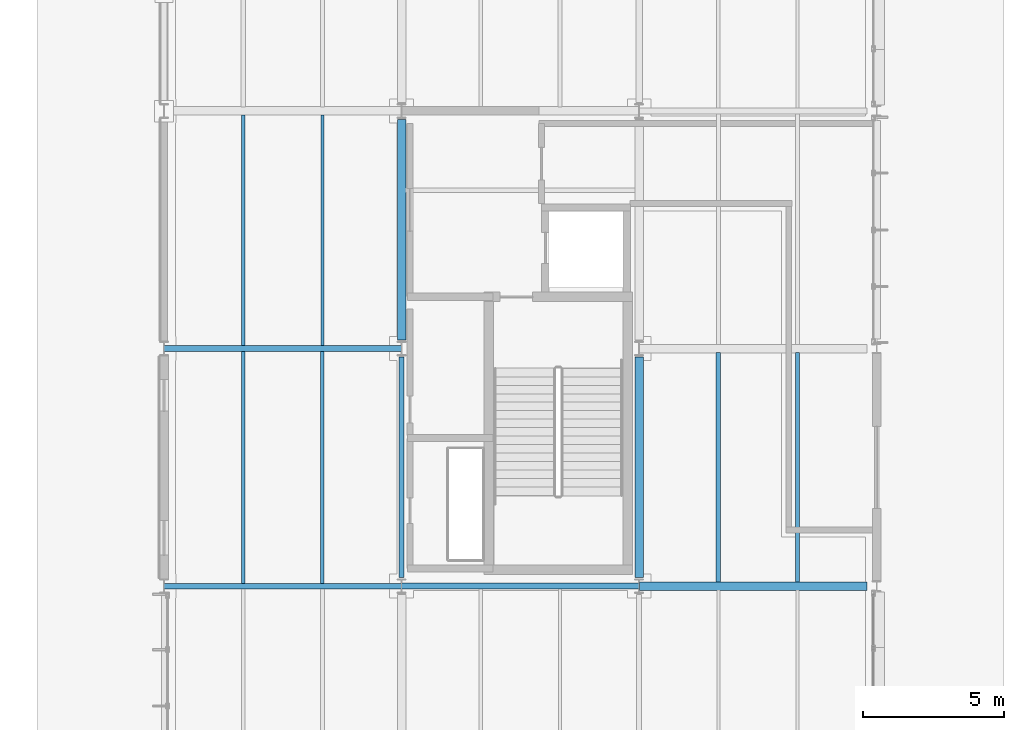
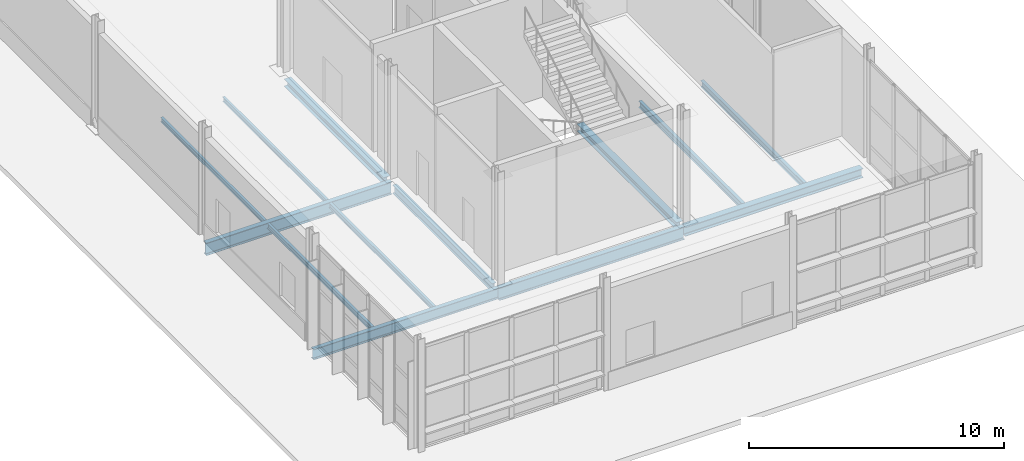
# One storey, part 55 of 124: 13 beams.
"""IFC4 building model written with IfcOpenShell, lengths in metres."""

from ifc_helpers import new_model, si_unit, direction, frame, origin, origin_2d, place, context, subcontext, project, spatial, i_section, extrude, material, material_profile, profile_set, type_object, element, save


model = new_model("IFC4")

# Units and contexts
model_context = context("Model", 3, precision=1e-05, world=origin(), true_north=direction((0.0, 1.0)))
body_context = subcontext(model_context, "Body", "Model", "MODEL_VIEW")
ifc_project = project(units=[si_unit("LENGTHUNIT", "METRE"), si_unit("AREAUNIT", "SQUARE_METRE"), si_unit("VOLUMEUNIT", "CUBIC_METRE"), si_unit("PLANEANGLEUNIT", "RADIAN"), si_unit("MASSUNIT", "GRAM", prefix="KILO")], contexts=[model_context])

# Site, building, storey
site_placement = place(None, origin())
site = spatial("IfcSite", under=ifc_project, at=site_placement, CompositionType="ELEMENT")
building_placement = place(site_placement, origin())
building = spatial("IfcBuilding", under=site, at=building_placement, Name="Mersafa Astral City Hall", CompositionType="ELEMENT")
storey_placement = place(building_placement, origin())
storey = spatial("IfcBuildingStorey", under=building, at=storey_placement, Name="L00", CompositionType="ELEMENT", Elevation=0.0)

# Beams
ifc_material = material(Name="Steel S355", Category="steel")
ifc_material_profile_1 = material_profile(ifc_material, i_section(OverallWidth=0.300048828125, OverallDepth=0.35009765625, WebThickness=0.010009765625, FlangeThickness=0.017578125, FilletRadius=0.027099609375, at=origin_2d()), Name="HEA 360")
ifc_profile_set_1 = profile_set([ifc_material_profile_1], Name="Steel S355")
beam_type_1 = type_object("IfcBeamType", Name="STR-BM-HEA360", PredefinedType="BEAM", material=ifc_profile_set_1)
beam_1_placement = place(storey_placement, frame((168.0, 59.094970703125, -0.425048828125), z_axis=(0.0, 1.0, 0.0), x_axis=(-1.0, 0.0, 0.0)))
element("IfcBeam", 1, at=beam_1_placement, inside=storey, type_object=beam_type_1, Name="L00 Primary girder Y 20-7", PredefinedType="BEAM", context=body_context, shape_type="SweptSolid", body=[
    extrude(i_section(OverallWidth=0.300048828125, OverallDepth=0.35009765625, WebThickness=0.010009765625, FlangeThickness=0.017578125, FilletRadius=0.027099609375, at=origin_2d()), origin(), (0.0, 0.0, 1.0), 7.81005859375),
])
beam_2_placement = place(storey_placement, frame((176.39990234375, 50.695068359375, -0.425048828125), z_axis=(0.0, 1.0, 0.0), x_axis=(-1.0, 0.0, 0.0)))
element("IfcBeam", 2, at=beam_2_placement, inside=storey, type_object=beam_type_1, Name="L00 Primary girder Y 21-6", PredefinedType="BEAM", context=body_context, shape_type="SweptSolid", body=[
    extrude(i_section(OverallWidth=0.300048828125, OverallDepth=0.35009765625, WebThickness=0.010009765625, FlangeThickness=0.017578125, FilletRadius=0.027099609375, at=origin_2d()), origin(), (0.0, 0.0, 1.0), 7.809814453125),
])
ifc_material_profile_2 = material_profile(ifc_material, i_section(OverallWidth=0.300048828125, OverallDepth=0.43994140625, WebThickness=0.011474609375, FlangeThickness=0.02099609375, FilletRadius=0.027099609375, at=origin_2d()), Name="HEA 450")
ifc_profile_set_2 = profile_set([ifc_material_profile_2], Name="Steel S355")
beam_type_2 = type_object("IfcBeamType", Name="STR-BM-HEA450", PredefinedType="BEAM", material=ifc_profile_set_2)
beam_3_placement = place(storey_placement, frame((176.403076171875, 50.39990234375, -0.469970703125), z_axis=(1.0, 0.0, 0.0), x_axis=(0.0, 1.0, 0.0)))
element("IfcBeam", 3, at=beam_3_placement, inside=storey, type_object=beam_type_2, Name="L00 Primary girder X 21-6", PredefinedType="BEAM", context=body_context, shape_type="SweptSolid", body=[
    extrude(i_section(OverallWidth=0.300048828125, OverallDepth=0.43994140625, WebThickness=0.011474609375, FlangeThickness=0.02099609375, FilletRadius=0.027099609375, at=origin_2d()), origin(), (0.0, 0.0, 1.0), 8.052001953125),
])
ifc_material_profile_3 = material_profile(ifc_material, i_section(OverallWidth=0.179931640625, OverallDepth=0.39990234375, WebThickness=0.008544921875, FlangeThickness=0.013427734375, FilletRadius=0.02099609375, at=origin_2d()), Name="IPE 400")
ifc_profile_set_3 = profile_set([ifc_material_profile_3], Name="Steel S355")
beam_type_3 = type_object("IfcBeamType", Name="STR-BM-IPE400", PredefinedType="BEAM", material=ifc_profile_set_3)
beam_4_placement = place(storey_placement, frame((168.0, 50.695068359375, -0.449951171875), z_axis=(0.0, 1.0, 0.0), x_axis=(-1.0, 0.0, 0.0)))
element("IfcBeam", 4, at=beam_4_placement, inside=storey, type_object=beam_type_3, Name="L00 Primary girder Y 20-6", PredefinedType="BEAM", context=body_context, shape_type="SweptSolid", body=[
    extrude(i_section(OverallWidth=0.179931640625, OverallDepth=0.39990234375, WebThickness=0.008544921875, FlangeThickness=0.013427734375, FilletRadius=0.02099609375, at=origin_2d()), origin(), (0.0, 0.0, 1.0), 7.809814453125),
])
ifc_material_profile_4 = material_profile(ifc_material, i_section(OverallWidth=0.199951171875, OverallDepth=0.5, WebThickness=0.01025390625, FlangeThickness=0.01611328125, FilletRadius=0.02099609375, at=origin_2d()), Name="IPE 500")
ifc_profile_set_4 = profile_set([ifc_material_profile_4], Name="Steel S355")
beam_type_4 = type_object("IfcBeamType", Name="STR-BM-IPE500", PredefinedType="BEAM", material=ifc_profile_set_4)
beam_5_placement = place(storey_placement, frame((159.60302734375, 50.39990234375, -0.5), z_axis=(1.0, 0.0, 0.0), x_axis=(0.0, 1.0, 0.0)))
element("IfcBeam", 5, at=beam_5_placement, inside=storey, type_object=beam_type_4, Name="L00 Primary girder X 19-6", PredefinedType="BEAM", context=body_context, shape_type="SweptSolid", body=[
    extrude(i_section(OverallWidth=0.199951171875, OverallDepth=0.5, WebThickness=0.01025390625, FlangeThickness=0.01611328125, FilletRadius=0.02099609375, at=origin_2d()), origin(), (0.0, 0.0, 1.0), 8.39404296875),
])
ifc_material_profile_5 = material_profile(ifc_material, i_section(OverallWidth=0.219970703125, OverallDepth=0.60009765625, WebThickness=0.011962890625, FlangeThickness=0.01904296875, FilletRadius=0.02392578125, at=origin_2d()), Name="IPE 600")
ifc_profile_set_5 = profile_set([ifc_material_profile_5], Name="Steel S355")
beam_type_5 = type_object("IfcBeamType", Name="STR-BM-IPE600", PredefinedType="BEAM", material=ifc_profile_set_5)
for number, where, z_axis, x_axis, name in (
    (6, (168.0029296875, 50.39990234375, -0.550048828125), (1.0, 0.0, 0.0), (0.0, 1.0, 0.0), "L00 Primary girder X 20-6"),
    (7, (159.60302734375, 58.800048828125, -0.550048828125), (1.0, 0.0, 0.0), (0.0, 1.0, 0.0), "L00 Primary girder X 19-7"),
):
    element("IfcBeam", number, at=place(storey_placement, frame(where, z_axis=z_axis, x_axis=x_axis)), inside=storey, type_object=beam_type_5, Name=name, PredefinedType="BEAM", context=body_context, shape_type="SweptSolid", body=[
        extrude(i_section(OverallWidth=0.219970703125, OverallDepth=0.60009765625, WebThickness=0.011962890625, FlangeThickness=0.01904296875, FilletRadius=0.02392578125, at=origin_2d()), origin(), (0.0, 0.0, 1.0), 8.39404296875),
    ])
ifc_material_profile_6 = material_profile(ifc_material, i_section(OverallWidth=0.110107421875, OverallDepth=0.219970703125, WebThickness=0.005859375, FlangeThickness=0.00927734375, FilletRadius=0.011962890625, at=origin_2d()), Name="IPE 220")
ifc_profile_set_6 = profile_set([ifc_material_profile_6], Name="Steel S355")
beam_type_6 = type_object("IfcBeamType", Name="STR-BM-JOIST-IPE220", PredefinedType="JOIST", material=ifc_profile_set_6)
for number, where, z_axis, x_axis, name in (
    (8, (162.39990234375, 58.905029296875, -0.360107421875), (0.0, 1.0, 0.0), (-1.0, 0.0, 0.0), "L00 Composite secondary floor joist 184"),
    (9, (165.199951171875, 58.905029296875, -0.360107421875), (0.0, 1.0, 0.0), (-1.0, 0.0, 0.0), "L00 Composite secondary floor joist 185"),
):
    element("IfcBeam", number, at=place(storey_placement, frame(where, z_axis=z_axis, x_axis=x_axis)), inside=storey, type_object=beam_type_6, Name=name, PredefinedType="JOIST", context=body_context, shape_type="SweptSolid", body=[
        extrude(i_section(OverallWidth=0.110107421875, OverallDepth=0.219970703125, WebThickness=0.005859375, FlangeThickness=0.00927734375, FilletRadius=0.011962890625, at=origin_2d()), origin(), (0.0, 0.0, 1.0), 8.14990234375),
    ])
ifc_material_profile_7 = material_profile(ifc_material, i_section(OverallWidth=0.1201171875, OverallDepth=0.239990234375, WebThickness=0.006103515625, FlangeThickness=0.009765625, FilletRadius=0.014892578125, at=origin_2d()), Name="IPE 240")
ifc_profile_set_7 = profile_set([ifc_material_profile_7], Name="Steel S355")
beam_type_7 = type_object("IfcBeamType", Name="STR-BM-JOIST-IPE240", PredefinedType="JOIST", material=ifc_profile_set_7)
for number, where, z_axis, x_axis, name in (
    (10, (162.39990234375, 50.4951171875, -0.3701171875), (0.0, 1.0, 0.0), (-1.0, 0.0, 0.0), "L00 Composite secondary floor joist 182"),
    (11, (165.199951171875, 50.4951171875, -0.3701171875), (0.0, 1.0, 0.0), (-1.0, 0.0, 0.0), "L00 Composite secondary floor joist 183"),
):
    element("IfcBeam", number, at=place(storey_placement, frame(where, z_axis=z_axis, x_axis=x_axis)), inside=storey, type_object=beam_type_7, Name=name, PredefinedType="JOIST", context=body_context, shape_type="SweptSolid", body=[
        extrude(i_section(OverallWidth=0.1201171875, OverallDepth=0.239990234375, WebThickness=0.006103515625, FlangeThickness=0.009765625, FilletRadius=0.014892578125, at=origin_2d()), origin(), (0.0, 0.0, 1.0), 8.199951171875),
    ])
ifc_material_profile_8 = material_profile(ifc_material, i_section(OverallWidth=0.14990234375, OverallDepth=0.300048828125, WebThickness=0.007080078125, FlangeThickness=0.0107421875, FilletRadius=0.014892578125, at=origin_2d()), Name="IPE 300")
ifc_profile_set_8 = profile_set([ifc_material_profile_8], Name="Steel S355")
beam_type_8 = type_object("IfcBeamType", Name="STR-BM-JOIST-IPE300", PredefinedType="JOIST", material=ifc_profile_set_8)
for number, where, z_axis, x_axis, name in (
    (12, (179.199951171875, 50.544921875, -0.39990234375), (0.0, 1.0, 0.0), (-1.0, 0.0, 0.0), "L00 Composite secondary floor joist 213"),
    (13, (182.0, 50.544921875, -0.39990234375), (0.0, 1.0, 0.0), (-1.0, 0.0, 0.0), "L00 Composite secondary floor joist 214"),
):
    element("IfcBeam", number, at=place(storey_placement, frame(where, z_axis=z_axis, x_axis=x_axis)), inside=storey, type_object=beam_type_8, Name=name, PredefinedType="JOIST", context=body_context, shape_type="SweptSolid", body=[
        extrude(i_section(OverallWidth=0.14990234375, OverallDepth=0.300048828125, WebThickness=0.007080078125, FlangeThickness=0.0107421875, FilletRadius=0.014892578125, at=origin_2d()), origin(), (0.0, 0.0, 1.0), 8.110107421875),
    ])

save(model, "model.ifc")
